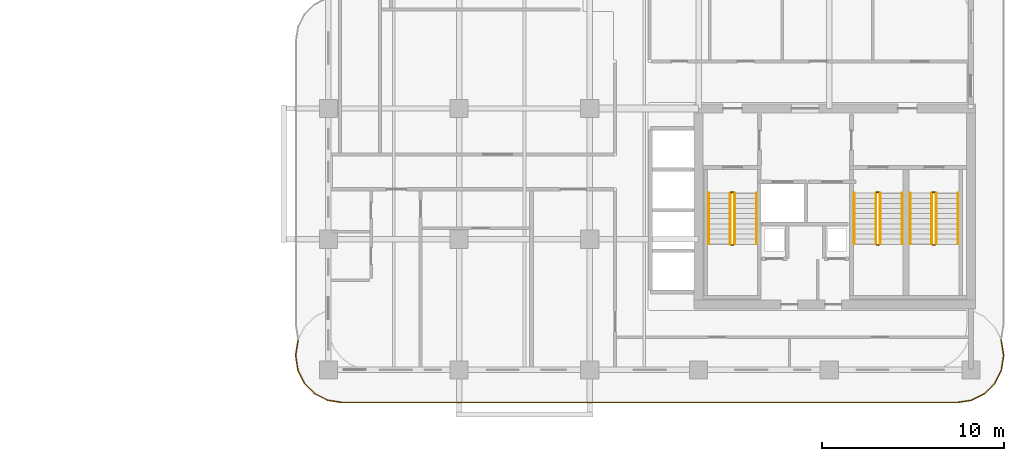
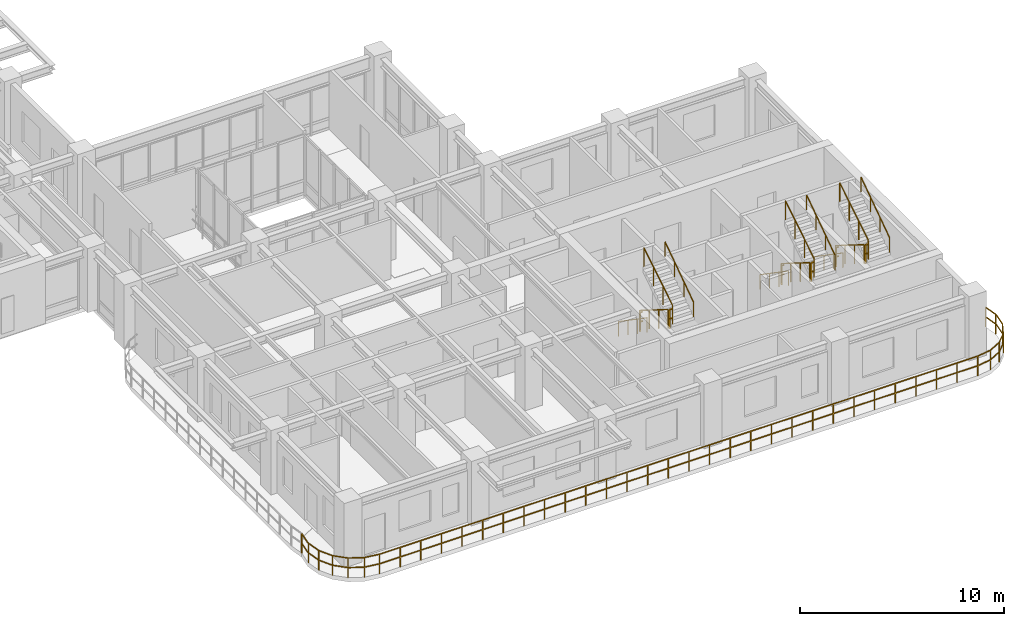
# One storey, part 17 of 19: 19 railings.
"""IFC4 building model written with IfcOpenShell, lengths in metres."""

from ifc_helpers import new_model, si_unit, derived_unit, direction, frame, origin, origin_2d, place, context, subcontext, project, spatial, rectangle, extrude, material, type_object, element, save


model = new_model("IFC4")

# Units and contexts
model_context = context("Model", 3, precision=1e-05, world=origin(), true_north=direction((0.0, 1.0)))
body_context = subcontext(model_context, "Body", "Model", "MODEL_VIEW")
ifc_project = project(units=[si_unit("LENGTHUNIT", "METRE"), si_unit("AREAUNIT", "SQUARE_METRE"), si_unit("VOLUMEUNIT", "CUBIC_METRE"), si_unit("PLANEANGLEUNIT", "RADIAN"), si_unit("MASSUNIT", "GRAM", prefix="KILO"), si_unit("THERMODYNAMICTEMPERATUREUNIT", "KELVIN"), si_unit("POWERUNIT", "WATT"), derived_unit("THERMALTRANSMITTANCEUNIT", [(si_unit("POWERUNIT", "WATT"), 1), (si_unit("AREAUNIT", "SQUARE_METRE"), -1), (si_unit("THERMODYNAMICTEMPERATUREUNIT", "KELVIN"), -1)])], contexts=[model_context])

# Site, building, storey
site_placement = place(None, origin())
site = spatial("IfcSite", under=ifc_project, at=site_placement, CompositionType="ELEMENT")
building_placement = place(site_placement, origin())
building = spatial("IfcBuilding", under=site, at=building_placement, Name="Zahravan Archway Hotel and Residences", CompositionType="ELEMENT")
storey_placement = place(building_placement, frame((0.0, 0.0, 150.300048828125)))
storey = spatial("IfcBuildingStorey", under=building, at=storey_placement, Name="L37", CompositionType="ELEMENT", Elevation=150.300048828125)

# Railings
ifc_material_1 = material(Name="Bronze & Laminated Glass Balustrade", Category="glass")
railing_type_1 = type_object("IfcRailingType", Name="RL-BAL-1200", PredefinedType="BALUSTRADE", material=ifc_material_1)
railing_1_placement = place(storey_placement, frame((51.47509765625, 1.637939453125, 0.0)))
element("IfcRailing", 1, at=railing_1_placement, inside=storey, type_object=railing_type_1, Name="L37 Balustrade RL-SLB-BAL-L37-SA-1", PredefinedType="BALUSTRADE", context=body_context, shape_type="SweptSolid", body=[
    extrude(rectangle(XDim=0.048095703125, YDim=0.048095703125, at=origin_2d()), frame((0.0, 0.0, 1.17578125), z_axis=(0.156701202656, -0.987646056584, 0.0), x_axis=(0.987646056584, 0.156701202656, 0.0)), (0.0, 0.0, 1.0), 0.797607421875),
    extrude(rectangle(XDim=0.048095703125, YDim=0.048095703125, at=origin_2d()), frame((0.0, 0.0, 0.60009765625), z_axis=(0.156701202656, -0.987646056584, 0.0), x_axis=(0.987646056584, 0.156701202656, 0.0)), (0.0, 0.0, 1.0), 0.797607421875),
    extrude(rectangle(XDim=0.048095703125, YDim=0.048095703125, at=origin_2d()), frame((0.125, -0.787841796875, 1.17578125), z_axis=(0.0, -1.0, 0.0), x_axis=(1.0, 0.0, 0.0)), (0.0, 0.0, 1.0), 0.10009765625),
    extrude(rectangle(XDim=0.048095703125, YDim=0.048095703125, at=origin_2d()), frame((0.125, -0.787841796875, 0.60009765625), z_axis=(0.0, -1.0, 0.0), x_axis=(1.0, 0.0, 0.0)), (0.0, 0.0, 1.0), 0.10009765625),
    extrude(rectangle(XDim=0.048095703125, YDim=0.048095703125, at=origin_2d()), frame((0.125, -0.887939453125, 1.17578125), z_axis=(-0.156653849773, -0.98765356849, 0.0), x_axis=(0.98765356849, -0.156653849773, 0.0)), (0.0, 0.0, 1.0), 0.7978515625),
    extrude(rectangle(XDim=0.048095703125, YDim=0.048095703125, at=origin_2d()), frame((0.125, -0.887939453125, 0.60009765625), z_axis=(-0.156653849773, -0.98765356849, 0.0), x_axis=(0.98765356849, -0.156653849773, 0.0)), (0.0, 0.0, 1.0), 0.7978515625),
    extrude(rectangle(XDim=0.048095703125, YDim=0.048095703125, at=origin_2d()), frame((0.0, -1.676025390625, 1.17578125), z_axis=(-0.453934952053, -0.891034824967, 0.0), x_axis=(0.891034824967, -0.453934952053, 0.0)), (0.0, 0.0, 1.0), 0.797607421875),
    extrude(rectangle(XDim=0.048095703125, YDim=0.048095703125, at=origin_2d()), frame((0.0, -1.676025390625, 0.60009765625), z_axis=(-0.453934952053, -0.891034824967, 0.0), x_axis=(0.891034824967, -0.453934952053, 0.0)), (0.0, 0.0, 1.0), 0.797607421875),
    extrude(rectangle(XDim=0.048095703125, YDim=0.048095703125, at=origin_2d()), frame((-0.362060546875, -2.38671875, 1.17578125), z_axis=(-0.707106781187, -0.707106781187, 0.0), x_axis=(0.707106781187, -0.707106781187, 0.0)), (0.0, 0.0, 1.0), 0.7978515625),
    extrude(rectangle(XDim=0.048095703125, YDim=0.048095703125, at=origin_2d()), frame((-0.362060546875, -2.38671875, 0.60009765625), z_axis=(-0.707106781187, -0.707106781187, 0.0), x_axis=(0.707106781187, -0.707106781187, 0.0)), (0.0, 0.0, 1.0), 0.7978515625),
    extrude(rectangle(XDim=0.048095703125, YDim=0.048095703125, at=origin_2d()), frame((-0.92626953125, -2.950927734375, 1.17578125), z_axis=(-0.890974108706, -0.454054113091, 0.0), x_axis=(0.454054113091, -0.890974108706, 0.0)), (0.0, 0.0, 1.0), 0.7978515625),
    extrude(rectangle(XDim=0.048095703125, YDim=0.048095703125, at=origin_2d()), frame((-0.92626953125, -2.950927734375, 0.60009765625), z_axis=(-0.890974108706, -0.454054113091, 0.0), x_axis=(0.454054113091, -0.890974108706, 0.0)), (0.0, 0.0, 1.0), 0.7978515625),
    extrude(rectangle(XDim=0.048095703125, YDim=0.048095703125, at=origin_2d()), frame((-1.63720703125, -3.313232421875, 1.17578125), z_axis=(-0.987693380745, -0.156402639467, 0.0), x_axis=(0.156402639467, -0.987693380745, 0.0)), (0.0, 0.0, 1.0), 0.797607421875),
    extrude(rectangle(XDim=0.048095703125, YDim=0.048095703125, at=origin_2d()), frame((-1.63720703125, -3.313232421875, 0.60009765625), z_axis=(-0.987693380745, -0.156402639467, 0.0), x_axis=(0.156402639467, -0.987693380745, 0.0)), (0.0, 0.0, 1.0), 0.797607421875),
    extrude(rectangle(XDim=0.048095703125, YDim=0.048095703125, at=origin_2d()), frame((-2.425048828125, -3.43798828125, 1.17578125), z_axis=(-1.0, 0.0, 0.0), x_axis=(0.0, -1.0, 0.0)), (0.0, 0.0, 1.0), 33.900146484375),
    extrude(rectangle(XDim=0.048095703125, YDim=0.048095703125, at=origin_2d()), frame((-2.425048828125, -3.43798828125, 0.60009765625), z_axis=(-1.0, 0.0, 0.0), x_axis=(0.0, -1.0, 0.0)), (0.0, 0.0, 1.0), 33.900146484375),
    extrude(rectangle(XDim=0.048095703125, YDim=0.048095703125, at=origin_2d()), frame((-36.3251953125, -3.43798828125, 1.17578125), z_axis=(-0.987693380745, 0.156402639467, 0.0), x_axis=(-0.156402639467, -0.987693380745, 0.0)), (0.0, 0.0, 1.0), 0.797607421875),
    extrude(rectangle(XDim=0.048095703125, YDim=0.048095703125, at=origin_2d()), frame((-36.3251953125, -3.43798828125, 0.60009765625), z_axis=(-0.987693380745, 0.156402639467, 0.0), x_axis=(-0.156402639467, -0.987693380745, 0.0)), (0.0, 0.0, 1.0), 0.797607421875),
    extrude(rectangle(XDim=0.048095703125, YDim=0.048095703125, at=origin_2d()), frame((-37.113037109375, -3.313232421875, 1.17578125), z_axis=(-0.890974108706, 0.454054113091, 0.0), x_axis=(-0.454054113091, -0.890974108706, 0.0)), (0.0, 0.0, 1.0), 0.7978515625),
    extrude(rectangle(XDim=0.048095703125, YDim=0.048095703125, at=origin_2d()), frame((-37.113037109375, -3.313232421875, 0.60009765625), z_axis=(-0.890974108706, 0.454054113091, 0.0), x_axis=(-0.454054113091, -0.890974108706, 0.0)), (0.0, 0.0, 1.0), 0.7978515625),
    extrude(rectangle(XDim=0.048095703125, YDim=0.048095703125, at=origin_2d()), frame((-37.823974609375, -2.950927734375, 1.17578125), z_axis=(-0.707106781187, 0.707106781187, 0.0), x_axis=(-0.707106781187, -0.707106781187, 0.0)), (0.0, 0.0, 1.0), 0.7978515625),
    extrude(rectangle(XDim=0.048095703125, YDim=0.048095703125, at=origin_2d()), frame((-37.823974609375, -2.950927734375, 0.60009765625), z_axis=(-0.707106781187, 0.707106781187, 0.0), x_axis=(-0.707106781187, -0.707106781187, 0.0)), (0.0, 0.0, 1.0), 0.7978515625),
    extrude(rectangle(XDim=0.048095703125, YDim=0.048095703125, at=origin_2d()), frame((-38.38818359375, -2.38671875, 1.17578125), z_axis=(-0.453934952053, 0.891034824967, 0.0), x_axis=(-0.891034824967, -0.453934952053, 0.0)), (0.0, 0.0, 1.0), 0.797607421875),
    extrude(rectangle(XDim=0.048095703125, YDim=0.048095703125, at=origin_2d()), frame((-38.38818359375, -2.38671875, 0.60009765625), z_axis=(-0.453934952053, 0.891034824967, 0.0), x_axis=(-0.891034824967, -0.453934952053, 0.0)), (0.0, 0.0, 1.0), 0.797607421875),
    extrude(rectangle(XDim=0.048095703125, YDim=0.048095703125, at=origin_2d()), frame((-38.750244140625, -1.676025390625, 1.17578125), z_axis=(-0.156355372278, 0.987700864412, 0.0), x_axis=(-0.987700864412, -0.156355372278, 0.0)), (0.0, 0.0, 1.0), 0.7978515625),
    extrude(rectangle(XDim=0.048095703125, YDim=0.048095703125, at=origin_2d()), frame((-38.750244140625, -1.676025390625, 0.60009765625), z_axis=(-0.156355372278, 0.987700864412, 0.0), x_axis=(-0.987700864412, -0.156355372278, 0.0)), (0.0, 0.0, 1.0), 0.7978515625),
    extrude(rectangle(XDim=0.048095703125, YDim=0.048095703125, at=origin_2d()), frame((-38.875, -0.887939453125, 1.17578125), z_axis=(0.0, 1.0, 0.0), x_axis=(-1.0, 0.0, 0.0)), (0.0, 0.0, 1.0), 0.10009765625),
    extrude(rectangle(XDim=0.048095703125, YDim=0.048095703125, at=origin_2d()), frame((-38.875, -0.887939453125, 0.60009765625), z_axis=(0.0, 1.0, 0.0), x_axis=(-1.0, 0.0, 0.0)), (0.0, 0.0, 1.0), 0.10009765625),
    extrude(rectangle(XDim=0.048095703125, YDim=0.048095703125, at=origin_2d()), frame((-38.875, -0.787841796875, 1.17578125), z_axis=(0.156402639467, 0.987693380745, 0.0), x_axis=(-0.987693380745, 0.156402639467, 0.0)), (0.0, 0.0, 1.0), 0.797607421875),
    extrude(rectangle(XDim=0.048095703125, YDim=0.048095703125, at=origin_2d()), frame((-38.875, -0.787841796875, 0.60009765625), z_axis=(0.156402639467, 0.987693380745, 0.0), x_axis=(-0.987693380745, 0.156402639467, 0.0)), (0.0, 0.0, 1.0), 0.797607421875),
    extrude(rectangle(XDim=0.0419921875, YDim=0.0419921875, at=origin_2d()), origin(), (0.0, 0.0, 1.0), 1.15185546875),
    extrude(rectangle(XDim=0.0419921875, YDim=0.0419921875, at=origin_2d()), frame((0.125, -0.787841796875, 0.0)), (0.0, 0.0, 1.0), 1.15185546875),
    extrude(rectangle(XDim=0.0419921875, YDim=0.0419921875, at=origin_2d()), frame((0.0, -1.676025390625, 0.0)), (0.0, 0.0, 1.0), 1.15185546875),
    extrude(rectangle(XDim=0.0419921875, YDim=0.0419921875, at=origin_2d()), frame((-0.362060546875, -2.38671875, 0.0)), (0.0, 0.0, 1.0), 1.15185546875),
    extrude(rectangle(XDim=0.0419921875, YDim=0.0419921875, at=origin_2d()), frame((-0.92626953125, -2.950927734375, 0.0)), (0.0, 0.0, 1.0), 1.15185546875),
    extrude(rectangle(XDim=0.0419921875, YDim=0.0419921875, at=origin_2d()), frame((-1.63720703125, -3.313232421875, 0.0)), (0.0, 0.0, 1.0), 1.15185546875),
    extrude(rectangle(XDim=0.0419921875, YDim=0.0419921875, at=origin_2d()), frame((-2.425048828125, -3.43798828125, 0.0)), (0.0, 0.0, 1.0), 1.15185546875),
    extrude(rectangle(XDim=0.0419921875, YDim=0.0419921875, at=origin_2d()), frame((-3.593994140625, -3.43798828125, 0.0)), (0.0, 0.0, 1.0), 1.15185546875),
    extrude(rectangle(XDim=0.0419921875, YDim=0.0419921875, at=origin_2d()), frame((-4.762939453125, -3.43798828125, 0.0)), (0.0, 0.0, 1.0), 1.15185546875),
    extrude(rectangle(XDim=0.0419921875, YDim=0.0419921875, at=origin_2d()), frame((-5.931884765625, -3.43798828125, 0.0)), (0.0, 0.0, 1.0), 1.15185546875),
    extrude(rectangle(XDim=0.0419921875, YDim=0.0419921875, at=origin_2d()), frame((-7.100830078125, -3.43798828125, 0.0)), (0.0, 0.0, 1.0), 1.15185546875),
    extrude(rectangle(XDim=0.0419921875, YDim=0.0419921875, at=origin_2d()), frame((-8.27001953125, -3.43798828125, 0.0)), (0.0, 0.0, 1.0), 1.15185546875),
    extrude(rectangle(XDim=0.0419921875, YDim=0.0419921875, at=origin_2d()), frame((-9.43896484375, -3.43798828125, 0.0)), (0.0, 0.0, 1.0), 1.15185546875),
    extrude(rectangle(XDim=0.0419921875, YDim=0.0419921875, at=origin_2d()), frame((-10.60791015625, -3.43798828125, 0.0)), (0.0, 0.0, 1.0), 1.15185546875),
    extrude(rectangle(XDim=0.0419921875, YDim=0.0419921875, at=origin_2d()), frame((-11.77685546875, -3.43798828125, 0.0)), (0.0, 0.0, 1.0), 1.15185546875),
    extrude(rectangle(XDim=0.0419921875, YDim=0.0419921875, at=origin_2d()), frame((-12.94580078125, -3.43798828125, 0.0)), (0.0, 0.0, 1.0), 1.15185546875),
    extrude(rectangle(XDim=0.0419921875, YDim=0.0419921875, at=origin_2d()), frame((-14.11474609375, -3.43798828125, 0.0)), (0.0, 0.0, 1.0), 1.15185546875),
    extrude(rectangle(XDim=0.0419921875, YDim=0.0419921875, at=origin_2d()), frame((-15.28369140625, -3.43798828125, 0.0)), (0.0, 0.0, 1.0), 1.15185546875),
    extrude(rectangle(XDim=0.0419921875, YDim=0.0419921875, at=origin_2d()), frame((-16.45263671875, -3.43798828125, 0.0)), (0.0, 0.0, 1.0), 1.15185546875),
    extrude(rectangle(XDim=0.0419921875, YDim=0.0419921875, at=origin_2d()), frame((-17.62158203125, -3.43798828125, 0.0)), (0.0, 0.0, 1.0), 1.15185546875),
    extrude(rectangle(XDim=0.0419921875, YDim=0.0419921875, at=origin_2d()), frame((-18.79052734375, -3.43798828125, 0.0)), (0.0, 0.0, 1.0), 1.15185546875),
    extrude(rectangle(XDim=0.0419921875, YDim=0.0419921875, at=origin_2d()), frame((-19.959716796875, -3.43798828125, 0.0)), (0.0, 0.0, 1.0), 1.15185546875),
    extrude(rectangle(XDim=0.0419921875, YDim=0.0419921875, at=origin_2d()), frame((-21.128662109375, -3.43798828125, 0.0)), (0.0, 0.0, 1.0), 1.15185546875),
    extrude(rectangle(XDim=0.0419921875, YDim=0.0419921875, at=origin_2d()), frame((-22.297607421875, -3.43798828125, 0.0)), (0.0, 0.0, 1.0), 1.15185546875),
    extrude(rectangle(XDim=0.0419921875, YDim=0.0419921875, at=origin_2d()), frame((-23.466552734375, -3.43798828125, 0.0)), (0.0, 0.0, 1.0), 1.15185546875),
    extrude(rectangle(XDim=0.0419921875, YDim=0.0419921875, at=origin_2d()), frame((-24.635498046875, -3.43798828125, 0.0)), (0.0, 0.0, 1.0), 1.15185546875),
    extrude(rectangle(XDim=0.0419921875, YDim=0.0419921875, at=origin_2d()), frame((-25.804443359375, -3.43798828125, 0.0)), (0.0, 0.0, 1.0), 1.15185546875),
    extrude(rectangle(XDim=0.0419921875, YDim=0.0419921875, at=origin_2d()), frame((-26.973388671875, -3.43798828125, 0.0)), (0.0, 0.0, 1.0), 1.15185546875),
    extrude(rectangle(XDim=0.0419921875, YDim=0.0419921875, at=origin_2d()), frame((-28.142333984375, -3.43798828125, 0.0)), (0.0, 0.0, 1.0), 1.15185546875),
    extrude(rectangle(XDim=0.0419921875, YDim=0.0419921875, at=origin_2d()), frame((-29.311279296875, -3.43798828125, 0.0)), (0.0, 0.0, 1.0), 1.15185546875),
    extrude(rectangle(XDim=0.0419921875, YDim=0.0419921875, at=origin_2d()), frame((-30.480224609375, -3.43798828125, 0.0)), (0.0, 0.0, 1.0), 1.15185546875),
    extrude(rectangle(XDim=0.0419921875, YDim=0.0419921875, at=origin_2d()), frame((-31.6494140625, -3.43798828125, 0.0)), (0.0, 0.0, 1.0), 1.15185546875),
    extrude(rectangle(XDim=0.0419921875, YDim=0.0419921875, at=origin_2d()), frame((-32.818359375, -3.43798828125, 0.0)), (0.0, 0.0, 1.0), 1.15185546875),
    extrude(rectangle(XDim=0.0419921875, YDim=0.0419921875, at=origin_2d()), frame((-33.9873046875, -3.43798828125, 0.0)), (0.0, 0.0, 1.0), 1.15185546875),
    extrude(rectangle(XDim=0.0419921875, YDim=0.0419921875, at=origin_2d()), frame((-35.15625, -3.43798828125, 0.0)), (0.0, 0.0, 1.0), 1.15185546875),
    extrude(rectangle(XDim=0.0419921875, YDim=0.0419921875, at=origin_2d()), frame((-36.3251953125, -3.43798828125, 0.0)), (0.0, 0.0, 1.0), 1.15185546875),
    extrude(rectangle(XDim=0.0419921875, YDim=0.0419921875, at=origin_2d()), frame((-37.113037109375, -3.313232421875, 0.0)), (0.0, 0.0, 1.0), 1.15185546875),
    extrude(rectangle(XDim=0.0419921875, YDim=0.0419921875, at=origin_2d()), frame((-37.823974609375, -2.950927734375, 0.0)), (0.0, 0.0, 1.0), 1.15185546875),
    extrude(rectangle(XDim=0.0419921875, YDim=0.0419921875, at=origin_2d()), frame((-38.38818359375, -2.38671875, 0.0)), (0.0, 0.0, 1.0), 1.15185546875),
    extrude(rectangle(XDim=0.0419921875, YDim=0.0419921875, at=origin_2d()), frame((-38.750244140625, -1.676025390625, 0.0)), (0.0, 0.0, 1.0), 1.15185546875),
    extrude(rectangle(XDim=0.0419921875, YDim=0.0419921875, at=origin_2d()), frame((-38.875, -0.887939453125, 0.0)), (0.0, 0.0, 1.0), 1.15185546875),
    extrude(rectangle(XDim=0.0419921875, YDim=0.0419921875, at=origin_2d()), frame((-38.750244140625, 0.0, 0.0)), (0.0, 0.0, 1.0), 1.15185546875),
])
ifc_material_2 = material(Name="Painted Tubular Steel", Category="steel")
railing_type_2 = type_object("IfcRailingType", Name="RL-STG-1150", PredefinedType="GUARDRAIL", material=ifc_material_2)
railing_2_placement = place(storey_placement, frame((36.550048828125, 9.72998046875, 0.175048828125)))
element("IfcRailing", 2, at=railing_2_placement, inside=storey, type_object=railing_type_2, Name="L37 ST-A1 stair guard 1", PredefinedType="GUARDRAIL", context=body_context, shape_type="SweptSolid", body=[
    extrude(rectangle(XDim=0.048095703125, YDim=0.048095703125, at=origin_2d()), frame((0.0, 0.0, 1.1259765625), z_axis=(0.0, -0.848002457836, 0.529992293815), x_axis=(1.0, 0.0, 0.0)), (0.0, 0.0, 1.0), 3.302001953125),
    extrude(rectangle(XDim=0.0419921875, YDim=0.0419921875, at=origin_2d()), origin(), (0.0, 0.0, 1.0), 1.101806640625),
    extrude(rectangle(XDim=0.0419921875, YDim=0.0419921875, at=origin_2d()), frame((0.0, -0.933349609375, 0.583251953125)), (0.0, 0.0, 1.0), 1.101806640625),
    extrude(rectangle(XDim=0.0419921875, YDim=0.0419921875, at=origin_2d()), frame((0.0, -1.86669921875, 1.166748046875)), (0.0, 0.0, 1.0), 1.101806640625),
    extrude(rectangle(XDim=0.0419921875, YDim=0.0419921875, at=origin_2d()), frame((0.0, -2.800048828125, 1.75)), (0.0, 0.0, 1.0), 1.101806640625),
])
railing_3_placement = place(storey_placement, frame((36.60009765625, 6.8798828125, 1.925048828125)))
element("IfcRailing", 3, at=railing_3_placement, inside=storey, type_object=railing_type_2, Name="L37 ST-A1 stair guard 2", PredefinedType="GUARDRAIL", context=body_context, shape_type="SweptSolid", body=[
    extrude(rectangle(XDim=0.048095703125, YDim=0.048095703125, at=origin_2d()), frame((0.0, 0.0, 1.1259765625), z_axis=(1.0, 0.0, 0.0), x_axis=(0.0, 1.0, 0.0)), (0.0, 0.0, 1.0), 0.139892578125),
    extrude(rectangle(XDim=0.048095703125, YDim=0.048095703125, at=origin_2d()), frame((0.0, 0.0, 0.574951171875), z_axis=(1.0, 0.0, 0.0), x_axis=(0.0, 1.0, 0.0)), (0.0, 0.0, 1.0), 0.139892578125),
    extrude(rectangle(XDim=0.0419921875, YDim=0.0419921875, at=origin_2d()), origin(), (0.0, 0.0, 1.0), 1.101806640625),
])
railing_4_placement = place(storey_placement, frame((36.7900390625, 6.929931640625, 2.099853515625)))
element("IfcRailing", 4, at=railing_4_placement, inside=storey, type_object=railing_type_2, Name="L37 ST-A1 stair guard 3", PredefinedType="GUARDRAIL", context=body_context, shape_type="SweptSolid", body=[
    extrude(rectangle(XDim=0.048095703125, YDim=0.048095703125, at=origin_2d()), frame((0.0, 0.0, 1.1259765625), z_axis=(0.0, 0.848002457836, 0.529992293815), x_axis=(-1.0, 0.0, 0.0)), (0.0, 0.0, 1.0), 3.302001953125),
    extrude(rectangle(XDim=0.0419921875, YDim=0.0419921875, at=origin_2d()), origin(), (0.0, 0.0, 1.0), 1.101806640625),
    extrude(rectangle(XDim=0.0419921875, YDim=0.0419921875, at=origin_2d()), frame((0.0, 0.933349609375, 0.583251953125)), (0.0, 0.0, 1.0), 1.101806640625),
    extrude(rectangle(XDim=0.0419921875, YDim=0.0419921875, at=origin_2d()), frame((0.0, 1.86669921875, 1.166748046875)), (0.0, 0.0, 1.0), 1.101806640625),
    extrude(rectangle(XDim=0.0419921875, YDim=0.0419921875, at=origin_2d()), frame((0.0, 2.800048828125, 1.75)), (0.0, 0.0, 1.0), 1.101806640625),
])
railing_5_placement = place(storey_placement, frame((36.60009765625, 9.780029296875, 0.0)))
element("IfcRailing", 5, at=railing_5_placement, inside=storey, type_object=railing_type_2, Name="L37 ST-A1 stair guard 4", PredefinedType="GUARDRAIL", context=body_context, shape_type="SweptSolid", body=[
    extrude(rectangle(XDim=0.048095703125, YDim=0.048095703125, at=origin_2d()), frame((0.0, 0.0, 1.1259765625), z_axis=(1.0, 0.0, 0.0), x_axis=(0.0, 1.0, 0.0)), (0.0, 0.0, 1.0), 0.139892578125),
    extrude(rectangle(XDim=0.048095703125, YDim=0.048095703125, at=origin_2d()), frame((0.0, 0.0, 0.574951171875), z_axis=(1.0, 0.0, 0.0), x_axis=(0.0, 1.0, 0.0)), (0.0, 0.0, 1.0), 0.139892578125),
    extrude(rectangle(XDim=0.0419921875, YDim=0.0419921875, at=origin_2d()), origin(), (0.0, 0.0, 1.0), 1.101806640625),
])
railing_6_placement = place(storey_placement, frame((44.570068359375, 9.72998046875, 0.175048828125)))
element("IfcRailing", 6, at=railing_6_placement, inside=storey, type_object=railing_type_2, Name="L37 ST-A2 stair guard 1", PredefinedType="GUARDRAIL", context=body_context, shape_type="SweptSolid", body=[
    extrude(rectangle(XDim=0.048095703125, YDim=0.048095703125, at=origin_2d()), frame((0.0, 0.0, 1.1259765625), z_axis=(0.0, -0.848002457836, 0.529992293815), x_axis=(1.0, 0.0, 0.0)), (0.0, 0.0, 1.0), 3.302001953125),
    extrude(rectangle(XDim=0.0419921875, YDim=0.0419921875, at=origin_2d()), origin(), (0.0, 0.0, 1.0), 1.101806640625),
    extrude(rectangle(XDim=0.0419921875, YDim=0.0419921875, at=origin_2d()), frame((0.0, -0.933349609375, 0.583251953125)), (0.0, 0.0, 1.0), 1.101806640625),
    extrude(rectangle(XDim=0.0419921875, YDim=0.0419921875, at=origin_2d()), frame((0.0, -1.86669921875, 1.166748046875)), (0.0, 0.0, 1.0), 1.101806640625),
    extrude(rectangle(XDim=0.0419921875, YDim=0.0419921875, at=origin_2d()), frame((0.0, -2.800048828125, 1.75)), (0.0, 0.0, 1.0), 1.101806640625),
])
railing_7_placement = place(storey_placement, frame((44.6201171875, 6.8798828125, 1.925048828125)))
element("IfcRailing", 7, at=railing_7_placement, inside=storey, type_object=railing_type_2, Name="L37 ST-A2 stair guard 2", PredefinedType="GUARDRAIL", context=body_context, shape_type="SweptSolid", body=[
    extrude(rectangle(XDim=0.048095703125, YDim=0.048095703125, at=origin_2d()), frame((0.0, 0.0, 1.1259765625), z_axis=(1.0, 0.0, 0.0), x_axis=(0.0, 1.0, 0.0)), (0.0, 0.0, 1.0), 0.139892578125),
    extrude(rectangle(XDim=0.048095703125, YDim=0.048095703125, at=origin_2d()), frame((0.0, 0.0, 0.574951171875), z_axis=(1.0, 0.0, 0.0), x_axis=(0.0, 1.0, 0.0)), (0.0, 0.0, 1.0), 0.139892578125),
    extrude(rectangle(XDim=0.0419921875, YDim=0.0419921875, at=origin_2d()), origin(), (0.0, 0.0, 1.0), 1.101806640625),
])
railing_8_placement = place(storey_placement, frame((44.81005859375, 6.929931640625, 2.099853515625)))
element("IfcRailing", 8, at=railing_8_placement, inside=storey, type_object=railing_type_2, Name="L37 ST-A2 stair guard 3", PredefinedType="GUARDRAIL", context=body_context, shape_type="SweptSolid", body=[
    extrude(rectangle(XDim=0.048095703125, YDim=0.048095703125, at=origin_2d()), frame((0.0, 0.0, 1.1259765625), z_axis=(0.0, 0.848002457836, 0.529992293815), x_axis=(-1.0, 0.0, 0.0)), (0.0, 0.0, 1.0), 3.302001953125),
    extrude(rectangle(XDim=0.0419921875, YDim=0.0419921875, at=origin_2d()), origin(), (0.0, 0.0, 1.0), 1.101806640625),
    extrude(rectangle(XDim=0.0419921875, YDim=0.0419921875, at=origin_2d()), frame((0.0, 0.933349609375, 0.583251953125)), (0.0, 0.0, 1.0), 1.101806640625),
    extrude(rectangle(XDim=0.0419921875, YDim=0.0419921875, at=origin_2d()), frame((0.0, 1.86669921875, 1.166748046875)), (0.0, 0.0, 1.0), 1.101806640625),
    extrude(rectangle(XDim=0.0419921875, YDim=0.0419921875, at=origin_2d()), frame((0.0, 2.800048828125, 1.75)), (0.0, 0.0, 1.0), 1.101806640625),
])
railing_9_placement = place(storey_placement, frame((44.6201171875, 9.780029296875, 0.0)))
element("IfcRailing", 9, at=railing_9_placement, inside=storey, type_object=railing_type_2, Name="L37 ST-A2 stair guard 4", PredefinedType="GUARDRAIL", context=body_context, shape_type="SweptSolid", body=[
    extrude(rectangle(XDim=0.048095703125, YDim=0.048095703125, at=origin_2d()), frame((0.0, 0.0, 1.1259765625), z_axis=(1.0, 0.0, 0.0), x_axis=(0.0, 1.0, 0.0)), (0.0, 0.0, 1.0), 0.139892578125),
    extrude(rectangle(XDim=0.048095703125, YDim=0.048095703125, at=origin_2d()), frame((0.0, 0.0, 0.574951171875), z_axis=(1.0, 0.0, 0.0), x_axis=(0.0, 1.0, 0.0)), (0.0, 0.0, 1.0), 0.139892578125),
    extrude(rectangle(XDim=0.0419921875, YDim=0.0419921875, at=origin_2d()), origin(), (0.0, 0.0, 1.0), 1.101806640625),
])
railing_10_placement = place(storey_placement, frame((47.64990234375, 9.72998046875, 0.175048828125)))
element("IfcRailing", 10, at=railing_10_placement, inside=storey, type_object=railing_type_2, Name="L37 ST-A3 stair guard 1", PredefinedType="GUARDRAIL", context=body_context, shape_type="SweptSolid", body=[
    extrude(rectangle(XDim=0.048095703125, YDim=0.048095703125, at=origin_2d()), frame((0.0, 0.0, 1.1259765625), z_axis=(0.0, -0.848002457836, 0.529992293815), x_axis=(1.0, 0.0, 0.0)), (0.0, 0.0, 1.0), 3.302001953125),
    extrude(rectangle(XDim=0.0419921875, YDim=0.0419921875, at=origin_2d()), origin(), (0.0, 0.0, 1.0), 1.101806640625),
    extrude(rectangle(XDim=0.0419921875, YDim=0.0419921875, at=origin_2d()), frame((0.0, -0.933349609375, 0.583251953125)), (0.0, 0.0, 1.0), 1.101806640625),
    extrude(rectangle(XDim=0.0419921875, YDim=0.0419921875, at=origin_2d()), frame((0.0, -1.86669921875, 1.166748046875)), (0.0, 0.0, 1.0), 1.101806640625),
    extrude(rectangle(XDim=0.0419921875, YDim=0.0419921875, at=origin_2d()), frame((0.0, -2.800048828125, 1.75)), (0.0, 0.0, 1.0), 1.101806640625),
])
railing_11_placement = place(storey_placement, frame((47.699951171875, 6.8798828125, 1.925048828125)))
element("IfcRailing", 11, at=railing_11_placement, inside=storey, type_object=railing_type_2, Name="L37 ST-A3 stair guard 2", PredefinedType="GUARDRAIL", context=body_context, shape_type="SweptSolid", body=[
    extrude(rectangle(XDim=0.048095703125, YDim=0.048095703125, at=origin_2d()), frame((0.0, 0.0, 1.1259765625), z_axis=(1.0, 0.0, 0.0), x_axis=(0.0, 1.0, 0.0)), (0.0, 0.0, 1.0), 0.14013671875),
    extrude(rectangle(XDim=0.048095703125, YDim=0.048095703125, at=origin_2d()), frame((0.0, 0.0, 0.574951171875), z_axis=(1.0, 0.0, 0.0), x_axis=(0.0, 1.0, 0.0)), (0.0, 0.0, 1.0), 0.14013671875),
    extrude(rectangle(XDim=0.0419921875, YDim=0.0419921875, at=origin_2d()), origin(), (0.0, 0.0, 1.0), 1.101806640625),
])
railing_12_placement = place(storey_placement, frame((47.889892578125, 6.929931640625, 2.099853515625)))
element("IfcRailing", 12, at=railing_12_placement, inside=storey, type_object=railing_type_2, Name="L37 ST-A3 stair guard 3", PredefinedType="GUARDRAIL", context=body_context, shape_type="SweptSolid", body=[
    extrude(rectangle(XDim=0.048095703125, YDim=0.048095703125, at=origin_2d()), frame((0.0, 0.0, 1.1259765625), z_axis=(0.0, 0.848002457836, 0.529992293815), x_axis=(-1.0, 0.0, 0.0)), (0.0, 0.0, 1.0), 3.302001953125),
    extrude(rectangle(XDim=0.0419921875, YDim=0.0419921875, at=origin_2d()), origin(), (0.0, 0.0, 1.0), 1.101806640625),
    extrude(rectangle(XDim=0.0419921875, YDim=0.0419921875, at=origin_2d()), frame((0.0, 0.933349609375, 0.583251953125)), (0.0, 0.0, 1.0), 1.101806640625),
    extrude(rectangle(XDim=0.0419921875, YDim=0.0419921875, at=origin_2d()), frame((0.0, 1.86669921875, 1.166748046875)), (0.0, 0.0, 1.0), 1.101806640625),
    extrude(rectangle(XDim=0.0419921875, YDim=0.0419921875, at=origin_2d()), frame((0.0, 2.800048828125, 1.75)), (0.0, 0.0, 1.0), 1.101806640625),
])
railing_13_placement = place(storey_placement, frame((47.699951171875, 9.780029296875, 0.0)))
element("IfcRailing", 13, at=railing_13_placement, inside=storey, type_object=railing_type_2, Name="L37 ST-A3 stair guard 4", PredefinedType="GUARDRAIL", context=body_context, shape_type="SweptSolid", body=[
    extrude(rectangle(XDim=0.048095703125, YDim=0.048095703125, at=origin_2d()), frame((0.0, 0.0, 1.1259765625), z_axis=(1.0, 0.0, 0.0), x_axis=(0.0, 1.0, 0.0)), (0.0, 0.0, 1.0), 0.14013671875),
    extrude(rectangle(XDim=0.048095703125, YDim=0.048095703125, at=origin_2d()), frame((0.0, 0.0, 0.574951171875), z_axis=(1.0, 0.0, 0.0), x_axis=(0.0, 1.0, 0.0)), (0.0, 0.0, 1.0), 0.14013671875),
    extrude(rectangle(XDim=0.0419921875, YDim=0.0419921875, at=origin_2d()), origin(), (0.0, 0.0, 1.0), 1.101806640625),
])
ifc_material_3 = material(Name="Brushed Stainless Steel", Category="steel")
railing_type_3 = type_object("IfcRailingType", Name="RL-STH-900", PredefinedType="HANDRAIL", material=ifc_material_3)
railing_14_placement = place(storey_placement, frame((35.35009765625, 9.72998046875, 0.175048828125)))
element("IfcRailing", 14, at=railing_14_placement, inside=storey, type_object=railing_type_3, Name="L37 ST-A1 stair handrail 1", PredefinedType="HANDRAIL", context=body_context, shape_type="SweptSolid", body=[
    extrude(rectangle(XDim=0.048095703125, YDim=0.048095703125, at=origin_2d()), frame((0.0, 0.0, 0.8759765625), z_axis=(0.0, -0.824073370198, 0.566483080534), x_axis=(1.0, 0.0, 0.0)), (0.0, 0.0, 1.0), 3.397705078125),
    extrude(rectangle(XDim=0.0419921875, YDim=0.0419921875, at=origin_2d()), origin(), (0.0, 0.0, 1.0), 0.851806640625),
    extrude(rectangle(XDim=0.0419921875, YDim=0.0419921875, at=origin_2d()), frame((0.0, -0.933349609375, 0.6416015625)), (0.0, 0.0, 1.0), 0.851806640625),
    extrude(rectangle(XDim=0.0419921875, YDim=0.0419921875, at=origin_2d()), frame((0.0, -1.86669921875, 1.283203125)), (0.0, 0.0, 1.0), 0.851806640625),
    extrude(rectangle(XDim=0.0419921875, YDim=0.0419921875, at=origin_2d()), frame((0.0, -2.800048828125, 1.9248046875)), (0.0, 0.0, 1.0), 0.851806640625),
])
railing_15_placement = place(storey_placement, frame((37.989990234375, 6.929931640625, 2.099853515625)))
element("IfcRailing", 15, at=railing_15_placement, inside=storey, type_object=railing_type_3, Name="L37 ST-A1 stair handrail 2", PredefinedType="HANDRAIL", context=body_context, shape_type="SweptSolid", body=[
    extrude(rectangle(XDim=0.048095703125, YDim=0.048095703125, at=origin_2d()), frame((0.0, 0.0, 0.8759765625), z_axis=(0.0, 0.824039827795, 0.566531872191), x_axis=(-1.0, 0.0, 0.0)), (0.0, 0.0, 1.0), 3.39794921875),
    extrude(rectangle(XDim=0.0419921875, YDim=0.0419921875, at=origin_2d()), origin(), (0.0, 0.0, 1.0), 0.851806640625),
    extrude(rectangle(XDim=0.0419921875, YDim=0.0419921875, at=origin_2d()), frame((0.0, 0.933349609375, 0.6416015625)), (0.0, 0.0, 1.0), 0.851806640625),
    extrude(rectangle(XDim=0.0419921875, YDim=0.0419921875, at=origin_2d()), frame((0.0, 1.86669921875, 1.283447265625)), (0.0, 0.0, 1.0), 0.851806640625),
    extrude(rectangle(XDim=0.0419921875, YDim=0.0419921875, at=origin_2d()), frame((0.0, 2.800048828125, 1.925048828125)), (0.0, 0.0, 1.0), 0.851806640625),
])
railing_16_placement = place(storey_placement, frame((43.3701171875, 9.72998046875, 0.175048828125)))
element("IfcRailing", 16, at=railing_16_placement, inside=storey, type_object=railing_type_3, Name="L37 ST-A2 stair handrail 1", PredefinedType="HANDRAIL", context=body_context, shape_type="SweptSolid", body=[
    extrude(rectangle(XDim=0.048095703125, YDim=0.048095703125, at=origin_2d()), frame((0.0, 0.0, 0.8759765625), z_axis=(0.0, -0.824073370198, 0.566483080534), x_axis=(1.0, 0.0, 0.0)), (0.0, 0.0, 1.0), 3.397705078125),
    extrude(rectangle(XDim=0.0419921875, YDim=0.0419921875, at=origin_2d()), origin(), (0.0, 0.0, 1.0), 0.851806640625),
    extrude(rectangle(XDim=0.0419921875, YDim=0.0419921875, at=origin_2d()), frame((0.0, -0.933349609375, 0.6416015625)), (0.0, 0.0, 1.0), 0.851806640625),
    extrude(rectangle(XDim=0.0419921875, YDim=0.0419921875, at=origin_2d()), frame((0.0, -1.86669921875, 1.283203125)), (0.0, 0.0, 1.0), 0.851806640625),
    extrude(rectangle(XDim=0.0419921875, YDim=0.0419921875, at=origin_2d()), frame((0.0, -2.800048828125, 1.9248046875)), (0.0, 0.0, 1.0), 0.851806640625),
])
railing_17_placement = place(storey_placement, frame((46.010009765625, 6.929931640625, 2.099853515625)))
element("IfcRailing", 17, at=railing_17_placement, inside=storey, type_object=railing_type_3, Name="L37 ST-A2 stair handrail 2", PredefinedType="HANDRAIL", context=body_context, shape_type="SweptSolid", body=[
    extrude(rectangle(XDim=0.048095703125, YDim=0.048095703125, at=origin_2d()), frame((0.0, 0.0, 0.8759765625), z_axis=(0.0, 0.824039827795, 0.566531872191), x_axis=(-1.0, 0.0, 0.0)), (0.0, 0.0, 1.0), 3.39794921875),
    extrude(rectangle(XDim=0.0419921875, YDim=0.0419921875, at=origin_2d()), origin(), (0.0, 0.0, 1.0), 0.851806640625),
    extrude(rectangle(XDim=0.0419921875, YDim=0.0419921875, at=origin_2d()), frame((0.0, 0.933349609375, 0.6416015625)), (0.0, 0.0, 1.0), 0.851806640625),
    extrude(rectangle(XDim=0.0419921875, YDim=0.0419921875, at=origin_2d()), frame((0.0, 1.86669921875, 1.283447265625)), (0.0, 0.0, 1.0), 0.851806640625),
    extrude(rectangle(XDim=0.0419921875, YDim=0.0419921875, at=origin_2d()), frame((0.0, 2.800048828125, 1.925048828125)), (0.0, 0.0, 1.0), 0.851806640625),
])
railing_18_placement = place(storey_placement, frame((46.449951171875, 9.72998046875, 0.175048828125)))
element("IfcRailing", 18, at=railing_18_placement, inside=storey, type_object=railing_type_3, Name="L37 ST-A3 stair handrail 1", PredefinedType="HANDRAIL", context=body_context, shape_type="SweptSolid", body=[
    extrude(rectangle(XDim=0.048095703125, YDim=0.048095703125, at=origin_2d()), frame((0.0, 0.0, 0.8759765625), z_axis=(0.0, -0.824073370198, 0.566483080534), x_axis=(1.0, 0.0, 0.0)), (0.0, 0.0, 1.0), 3.397705078125),
    extrude(rectangle(XDim=0.0419921875, YDim=0.0419921875, at=origin_2d()), origin(), (0.0, 0.0, 1.0), 0.851806640625),
    extrude(rectangle(XDim=0.0419921875, YDim=0.0419921875, at=origin_2d()), frame((0.0, -0.933349609375, 0.6416015625)), (0.0, 0.0, 1.0), 0.851806640625),
    extrude(rectangle(XDim=0.0419921875, YDim=0.0419921875, at=origin_2d()), frame((0.0, -1.86669921875, 1.283203125)), (0.0, 0.0, 1.0), 0.851806640625),
    extrude(rectangle(XDim=0.0419921875, YDim=0.0419921875, at=origin_2d()), frame((0.0, -2.800048828125, 1.9248046875)), (0.0, 0.0, 1.0), 0.851806640625),
])
railing_19_placement = place(storey_placement, frame((49.090087890625, 6.929931640625, 2.099853515625)))
element("IfcRailing", 19, at=railing_19_placement, inside=storey, type_object=railing_type_3, Name="L37 ST-A3 stair handrail 2", PredefinedType="HANDRAIL", context=body_context, shape_type="SweptSolid", body=[
    extrude(rectangle(XDim=0.048095703125, YDim=0.048095703125, at=origin_2d()), frame((0.0, 0.0, 0.8759765625), z_axis=(0.0, 0.824039827795, 0.566531872191), x_axis=(-1.0, 0.0, 0.0)), (0.0, 0.0, 1.0), 3.39794921875),
    extrude(rectangle(XDim=0.0419921875, YDim=0.0419921875, at=origin_2d()), origin(), (0.0, 0.0, 1.0), 0.851806640625),
    extrude(rectangle(XDim=0.0419921875, YDim=0.0419921875, at=origin_2d()), frame((0.0, 0.933349609375, 0.6416015625)), (0.0, 0.0, 1.0), 0.851806640625),
    extrude(rectangle(XDim=0.0419921875, YDim=0.0419921875, at=origin_2d()), frame((0.0, 1.86669921875, 1.283447265625)), (0.0, 0.0, 1.0), 0.851806640625),
    extrude(rectangle(XDim=0.0419921875, YDim=0.0419921875, at=origin_2d()), frame((0.0, 2.800048828125, 1.925048828125)), (0.0, 0.0, 1.0), 0.851806640625),
])

save(model, "model.ifc")
